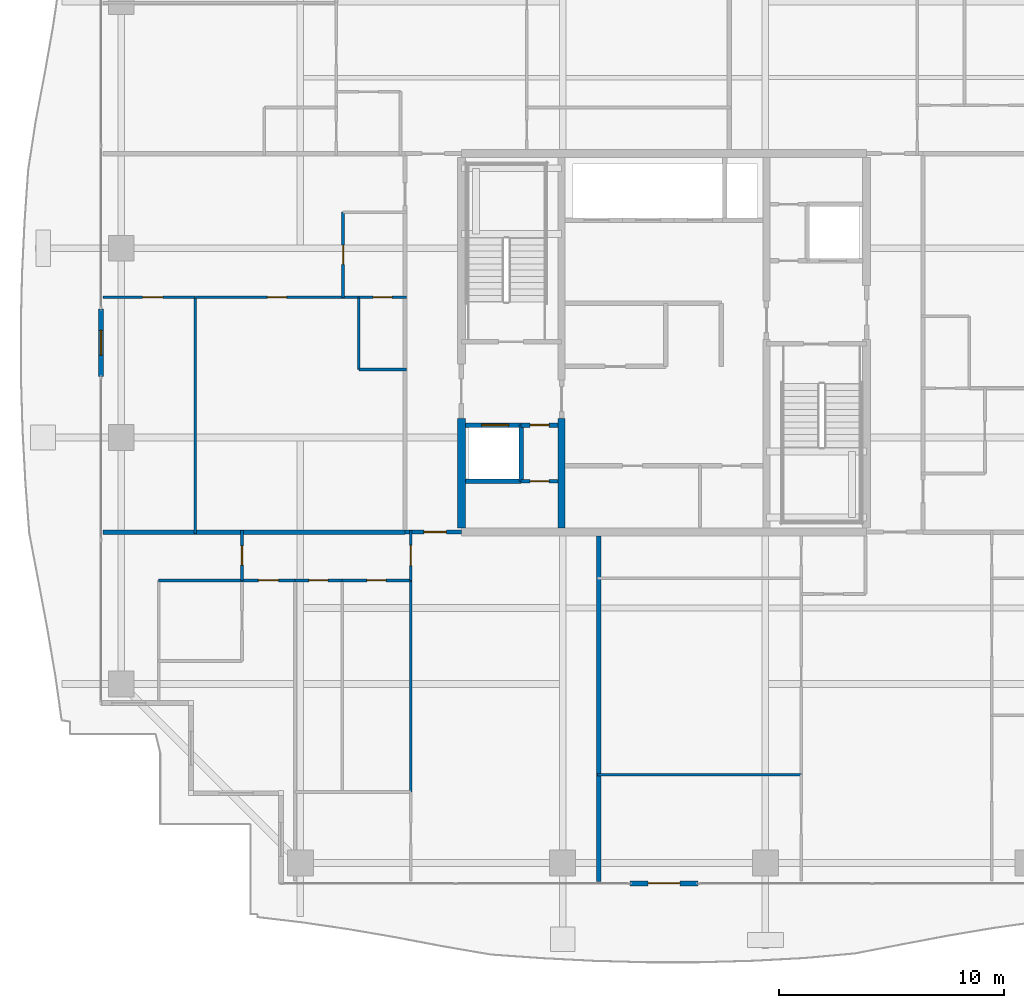
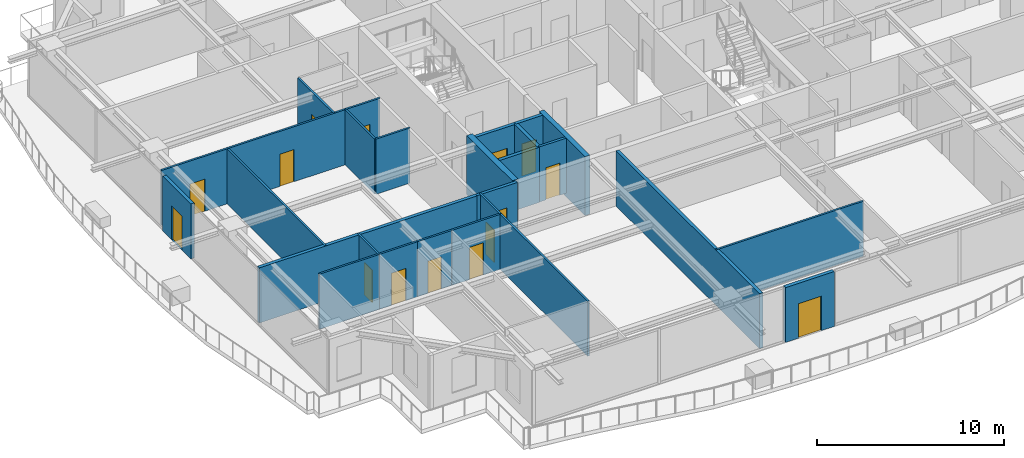
# One storey, part 24 of 35: 27 walls, 15 doors, 15 openings.
"""IFC4 building model written with IfcOpenShell, lengths in metres."""

from ifc_helpers import new_model, si_unit, direction, frame, frame_2d, origin, place, context, subcontext, project, spatial, rectangle, extrude, source, transform, mapped, material, layer, layer_set, type_object, element, fill, save


model = new_model("IFC4")

# Units and contexts
model_context = context("Model", 3, precision=1e-05, world=origin(), true_north=direction((0.0, 1.0)))
body_context = subcontext(model_context, "Body", "Model", "MODEL_VIEW")
ifc_project = project(units=[si_unit("LENGTHUNIT", "METRE"), si_unit("AREAUNIT", "SQUARE_METRE"), si_unit("VOLUMEUNIT", "CUBIC_METRE"), si_unit("PLANEANGLEUNIT", "RADIAN"), si_unit("MASSUNIT", "GRAM", prefix="KILO")], contexts=[model_context])

# Site, building, storey
site_placement = place(None, origin())
site = spatial("IfcSite", under=ifc_project, at=site_placement, CompositionType="ELEMENT")
building_placement = place(site_placement, origin())
building = spatial("IfcBuilding", under=site, at=building_placement, Name="Serunith Strait Residences", CompositionType="ELEMENT")
storey_placement = place(building_placement, frame((0.0, 0.0, 214.300048828125)))
storey = spatial("IfcBuildingStorey", under=building, at=storey_placement, Name="L53", CompositionType="ELEMENT", Elevation=214.300048828125)

# Wall, opening, door
ifc_material_1 = material(Name="Pale-Champagne Aluminium Insulated Panel", Category="aluminium")
ifc_layer_1 = layer(ifc_material_1, 0.219970703125, Name="Pale-Champagne Aluminium Insulated Panel")
ifc_layer_set_1 = layer_set([ifc_layer_1], Name="Pale-Champagne Aluminium Insulated Panel")
wall_type_1 = type_object("IfcWallType", Name="EW-ALUM-220", PredefinedType="ELEMENTEDWALL", material=ifc_layer_set_1)
wall_1_placement = place(storey_placement, frame((30.89990234375, 1.199951171875, 0.0), z_axis=(0.0, 0.0, 1.0), x_axis=(1.0, 0.0, 0.0)))
wall_1 = element("IfcWall", 1, at=wall_1_placement, inside=storey, type_object=wall_type_1, Name="L53 S Facade Pier Wall", PredefinedType="ELEMENTEDWALL", context=body_context, shape_type="SweptSolid", body=[
    extrude(rectangle(XDim=3.0, YDim=0.219970703125, at=frame_2d((1.5, 0.0))), origin(), (0.0, 0.0, 1.0), 3.574951171875),
])
opening_1_placement = place(wall_1_placement, frame((0.800048828125, 0.0, 0.0)))
opening_1 = element("IfcOpeningElement", 2, at=opening_1_placement, cuts=wall_1, Name="Opening ED-04", PredefinedType="OPENING", context=body_context, shape_type="SweptSolid", body=[
    extrude(rectangle(XDim=1.39990234375, YDim=2.25, at=frame_2d((0.699951171875, 1.125))), frame((0.0, 0.1201171875, 0.0), z_axis=(0.0, -1.0, 0.0), x_axis=(1.0, 0.0, 0.0)), (0.0, 0.0, 1.0), 0.239990234375),
])
ifc_material_2 = material(Name="Thermally-Broken Aluminium Sliding Balcony Door", Category="aluminium")
door_type_1 = type_object("IfcDoorType", Name="ED-BALC-1400", OperationType="NOTDEFINED", PredefinedType="DOOR", material=ifc_material_2)
shared_shape_1 = source(origin(), body_context, "Body", "SweptSolid", [
    extrude(rectangle(XDim=1.39990234375, YDim=2.25, at=frame_2d((0.699951171875, 1.125))), frame((0.0, 0.02490234375, 0.0), z_axis=(0.0, -1.0, 0.0), x_axis=(1.0, 0.0, 0.0)), (0.0, 0.0, 1.0), 0.050048828125),
])
door_1_placement = place(opening_1_placement, origin())
door_1 = element("IfcDoor", 3, at=door_1_placement, inside=storey, type_object=door_type_1, Name="L53 S Vertical-Forest Balcony Door", OperationType="SLIDING_TO_LEFT", OverallHeight=2.25, OverallWidth=1.39990234375, PredefinedType="DOOR", context=body_context, shape_type="MappedRepresentation", body=[
    mapped(shared_shape_1, transform((0.0, 0.0, 0.0), scale=1.0)),
])
fill(opening_1, door_1)

wall_2_placement = place(storey_placement, frame((7.39990234375, 26.699951171875, 0.0), z_axis=(0.0, 0.0, 1.0), x_axis=(0.0, -1.0, 0.0)))
wall_2 = element("IfcWall", 4, at=wall_2_placement, inside=storey, type_object=wall_type_1, Name="L53 W Facade Pier Wall", PredefinedType="ELEMENTEDWALL", context=body_context, shape_type="SweptSolid", body=[
    extrude(rectangle(XDim=3.0, YDim=0.219970703125, at=frame_2d((1.5, 0.0))), origin(), (0.0, 0.0, 1.0), 3.574951171875),
])
opening_2_placement = place(wall_2_placement, frame((0.949951171875, 0.0, 0.0)))
opening_2 = element("IfcOpeningElement", 5, at=opening_2_placement, cuts=wall_2, Name="Opening ED-03", PredefinedType="OPENING", context=body_context, shape_type="SweptSolid", body=[
    extrude(rectangle(XDim=1.10009765625, YDim=2.199951171875, at=frame_2d((0.550048828125, 1.10009765625))), frame((0.0, 0.1201171875, 0.0), z_axis=(0.0, -1.0, 0.0), x_axis=(1.0, 0.0, 0.0)), (0.0, 0.0, 1.0), 0.239990234375),
])
ifc_material_3 = material(Name="Thermally-Broken Aluminium Glazed Balcony Door", Category="aluminium")
door_type_2 = type_object("IfcDoorType", Name="ED-BALC-1100", OperationType="NOTDEFINED", PredefinedType="DOOR", material=ifc_material_3)
shared_shape_2 = source(origin(), body_context, "Body", "SweptSolid", [
    extrude(rectangle(XDim=1.10009765625, YDim=2.199951171875, at=frame_2d((0.550048828125, 1.10009765625))), frame((0.0, 0.02490234375, 0.0), z_axis=(0.0, -1.0, 0.0), x_axis=(1.0, 0.0, 0.0)), (0.0, 0.0, 1.0), 0.050048828125),
])
door_2_placement = place(opening_2_placement, origin())
door_2 = element("IfcDoor", 6, at=door_2_placement, inside=storey, type_object=door_type_2, Name="L53 W Vertical-Forest Balcony Door", OperationType="SINGLE_SWING_LEFT", OverallHeight=2.199951171875, OverallWidth=1.10009765625, PredefinedType="DOOR", context=body_context, shape_type="MappedRepresentation", body=[
    mapped(shared_shape_2, transform((0.0, 0.0, 0.0), scale=1.0)),
])
fill(opening_2, door_2)

ifc_material_4 = material(Name="Fire-rated masonry service closet wall", Category="masonry")
ifc_layer_2 = layer(ifc_material_4, 0.14990234375, Name="Fire-rated masonry service closet wall")
ifc_layer_set_2 = layer_set([ifc_layer_2], Name="Fire-rated masonry service closet wall")
wall_type_2 = type_object("IfcWallType", Name="IW-BOH-150", PredefinedType="PARTITIONING", material=ifc_layer_set_2)
wall_3_placement = place(storey_placement, frame((26.052001953125, 19.050048828125, 0.0), z_axis=(0.0, 0.0, 1.0), x_axis=(1.0, 0.0, 0.0)))
wall_3 = element("IfcWall", 7, at=wall_3_placement, inside=storey, type_object=wall_type_2, Name="L53 Partition Wall 011", PredefinedType="PARTITIONING", context=body_context, shape_type="SweptSolid", body=[
    extrude(rectangle(XDim=1.64794921875, YDim=0.14990234375, at=frame_2d((0.823974609375, 0.0))), origin(), (0.0, 0.0, 1.0), 3.58984375),
])
opening_3_placement = place(wall_3_placement, frame((0.39892578125, 0.0, 0.0)))
opening_3 = element("IfcOpeningElement", 8, at=opening_3_placement, cuts=wall_3, Name="Opening FD-850", PredefinedType="OPENING", context=body_context, shape_type="SweptSolid", body=[
    extrude(rectangle(XDim=0.85009765625, YDim=2.10009765625, at=frame_2d((0.425048828125, 1.050048828125))), frame((0.0, 0.0849609375, 0.0), z_axis=(0.0, -1.0, 0.0), x_axis=(1.0, 0.0, 0.0)), (0.0, 0.0, 1.0), 0.169921875),
])
ifc_material_5 = material(Name="Powder-coated steel service closet door", Category="steel")
door_type_3 = type_object("IfcDoorType", Name="FD-BOH-850", OperationType="NOTDEFINED", PredefinedType="DOOR", material=ifc_material_5)
shared_shape_3 = source(origin(), body_context, "Body", "SweptSolid", [
    extrude(rectangle(XDim=0.85009765625, YDim=2.10009765625, at=frame_2d((0.425048828125, 1.050048828125))), frame((0.0, 0.02490234375, 0.0), z_axis=(0.0, -1.0, 0.0), x_axis=(1.0, 0.0, 0.0)), (0.0, 0.0, 1.0), 0.050048828125),
])
door_3_placement = place(opening_3_placement, origin())
door_3 = element("IfcDoor", 9, at=door_3_placement, inside=storey, type_object=door_type_3, Name="L53 Water Meter Door", OperationType="SINGLE_SWING_LEFT", OverallHeight=2.10009765625, OverallWidth=0.85009765625, PredefinedType="DOOR", context=body_context, shape_type="MappedRepresentation", body=[
    mapped(shared_shape_3, transform((0.0, 0.0, 0.0), scale=1.0)),
])
fill(opening_3, door_3)

ifc_material_6 = material(Name="Fire-rated acoustic gypsum partition")
ifc_layer_3 = layer(ifc_material_6, 0.179931640625, Name="Fire-rated acoustic gypsum partition")
ifc_layer_set_3 = layer_set([ifc_layer_3], Name="Fire-rated acoustic gypsum partition")
wall_type_3 = type_object("IfcWallType", Name="IW-CORR-180", PredefinedType="PARTITIONING", material=ifc_layer_set_3)
wall_4_placement = place(storey_placement, frame((20.902099609375, 16.800048828125, 0.0), z_axis=(0.0, 0.0, 1.0), x_axis=(1.0, 0.0, 0.0)))
wall_4 = element("IfcWall", 10, at=wall_4_placement, inside=storey, type_object=wall_type_3, Name="L53 Partition Wall 026", PredefinedType="PARTITIONING", context=body_context, shape_type="SweptSolid", body=[
    extrude(rectangle(XDim=2.495849609375, YDim=0.179931640625, at=frame_2d((1.248046875, 0.0))), origin(), (0.0, 0.0, 1.0), 3.58984375),
])
opening_4_placement = place(wall_4_placement, frame((0.830078125, 0.0, 0.0)))
opening_4 = element("IfcOpeningElement", 11, at=opening_4_placement, cuts=wall_4, Name="Opening D-APT1000", PredefinedType="OPENING", context=body_context, shape_type="SweptSolid", body=[
    extrude(rectangle(XDim=1.0, YDim=2.14990234375, at=frame_2d((0.5, 1.074951171875))), frame((0.0, 0.10009765625, 0.0), z_axis=(0.0, -1.0, 0.0), x_axis=(1.0, 0.0, 0.0)), (0.0, 0.0, 1.0), 0.199951171875),
])
ifc_material_7 = material(Name="Solid timber engineered fire door", Category="wood")
door_type_4 = type_object("IfcDoorType", Name="ID-APT-1000", OperationType="NOTDEFINED", PredefinedType="DOOR", material=ifc_material_7)
shared_shape_4 = source(origin(), body_context, "Body", "SweptSolid", [
    extrude(rectangle(XDim=1.0, YDim=2.14990234375, at=frame_2d((0.5, 1.074951171875))), frame((0.0, 0.02490234375, 0.0), z_axis=(0.0, -1.0, 0.0), x_axis=(1.0, 0.0, 0.0)), (0.0, 0.0, 1.0), 0.050048828125),
])
door_4_placement = place(opening_4_placement, origin())
door_4 = element("IfcDoor", 12, at=door_4_placement, inside=storey, type_object=door_type_4, Name="L53 Unit 01 Entrance Door", OperationType="SINGLE_SWING_RIGHT", OverallHeight=2.14990234375, OverallWidth=1.0, PredefinedType="DOOR", context=body_context, shape_type="MappedRepresentation", body=[
    mapped(shared_shape_4, transform((0.0, 0.0, 0.0), scale=1.0)),
])
fill(opening_4, door_4)

ifc_material_8 = material(Name="Lightweight steel-stud gypsum partition", Category="steel")
ifc_layer_4 = layer(ifc_material_8, 0.1201171875, Name="Lightweight steel-stud gypsum partition")
ifc_layer_set_4 = layer_set([ifc_layer_4], Name="Lightweight steel-stud gypsum partition")
wall_type_4 = type_object("IfcWallType", Name="IW-PART-120", PredefinedType="PARTITIONING", material=ifc_layer_set_4)
wall_5_placement = place(storey_placement, frame((21.159912109375, 14.64990234375, 0.0), z_axis=(0.0, 0.0, 1.0), x_axis=(0.0, 1.0, 0.0)))
wall_5 = element("IfcWall", 13, at=wall_5_placement, inside=storey, type_object=wall_type_4, Name="L53 Partition Wall 032", PredefinedType="PARTITIONING", context=body_context, shape_type="SweptSolid", body=[
    extrude(rectangle(XDim=2.210205078125, YDim=0.1201171875, at=frame_2d((1.10498046875, 0.0))), origin(), (0.0, 0.0, 1.0), 3.58984375),
])
opening_5_placement = place(wall_5_placement, frame((0.655029296875, 0.0, 0.0)))
opening_5 = element("IfcOpeningElement", 14, at=opening_5_placement, cuts=wall_5, Name="Opening D-RM900", PredefinedType="OPENING", context=body_context, shape_type="SweptSolid", body=[
    extrude(rectangle(XDim=0.89990234375, YDim=2.10009765625, at=frame_2d((0.449951171875, 1.050048828125))), frame((0.0, 0.070068359375, 0.0), z_axis=(0.0, -1.0, 0.0), x_axis=(1.0, 0.0, 0.0)), (0.0, 0.0, 1.0), 0.14013671875),
])
ifc_material_9 = material(Name="Engineered timber flush bedroom door", Category="wood")
door_type_5 = type_object("IfcDoorType", Name="ID-ROOM-900", OperationType="NOTDEFINED", PredefinedType="DOOR", material=ifc_material_9)
shared_shape_5 = source(origin(), body_context, "Body", "SweptSolid", [
    extrude(rectangle(XDim=0.89990234375, YDim=2.10009765625, at=frame_2d((0.449951171875, 1.050048828125))), frame((0.0, 0.02490234375, 0.0), z_axis=(0.0, -1.0, 0.0), x_axis=(1.0, 0.0, 0.0)), (0.0, 0.0, 1.0), 0.050048828125),
])
door_5_placement = place(opening_5_placement, origin())
door_5 = element("IfcDoor", 15, at=door_5_placement, inside=storey, type_object=door_type_5, Name="L53 Hall W 5301 Door", OperationType="SINGLE_SWING_RIGHT", OverallHeight=2.10009765625, OverallWidth=0.89990234375, PredefinedType="DOOR", context=body_context, shape_type="MappedRepresentation", body=[
    mapped(shared_shape_5, transform((0.0, 0.0, 0.0), scale=1.0)),
])
fill(opening_5, door_5)

# Wall
wall_6_placement = place(storey_placement, frame((21.159912109375, 5.2529296875, 0.0), z_axis=(0.0, 0.0, 1.0), x_axis=(0.0, 1.0, 0.0)))
element("IfcWall", 16, at=wall_6_placement, inside=storey, type_object=wall_type_4, Name="L53 Partition Wall 034", PredefinedType="PARTITIONING", context=body_context, shape_type="SweptSolid", body=[
    extrude(rectangle(XDim=9.39501953125, YDim=0.1201171875, at=frame_2d((4.697509765625, 0.0))), origin(), (0.0, 0.0, 1.0), 3.58984375),
])

# Wall, opening, door
wall_7_placement = place(storey_placement, frame((16.010009765625, 14.64990234375, 0.0), z_axis=(0.0, 0.0, 1.0), x_axis=(1.0, 0.0, 0.0)))
wall_7 = element("IfcWall", 17, at=wall_7_placement, inside=storey, type_object=wall_type_4, Name="L53 Partition Wall 038", PredefinedType="PARTITIONING", context=body_context, shape_type="SweptSolid", body=[
    extrude(rectangle(XDim=2.10009765625, YDim=0.1201171875, at=frame_2d((1.050048828125, 0.0))), origin(), (0.0, 0.0, 1.0), 3.58984375),
])
opening_6_placement = place(wall_7_placement, frame((0.625, 0.0, 0.0)))
opening_6 = element("IfcOpeningElement", 18, at=opening_6_placement, cuts=wall_7, Name="Opening D-BTH850", PredefinedType="OPENING", context=body_context, shape_type="SweptSolid", body=[
    extrude(rectangle(XDim=0.85009765625, YDim=2.10009765625, at=frame_2d((0.425048828125, 1.050048828125))), frame((0.0, 0.070068359375, 0.0), z_axis=(0.0, -1.0, 0.0), x_axis=(1.0, 0.0, 0.0)), (0.0, 0.0, 1.0), 0.14013671875),
])
ifc_material_10 = material(Name="Moisture-resistant timber bathroom door", Category="wood")
door_type_6 = type_object("IfcDoorType", Name="ID-BATH-850", OperationType="NOTDEFINED", PredefinedType="DOOR", material=ifc_material_10)
door_6_placement = place(opening_6_placement, origin())
door_6 = element("IfcDoor", 19, at=door_6_placement, inside=storey, type_object=door_type_6, Name="L53 Bathroom 5301 Door", OperationType="SINGLE_SWING_RIGHT", OverallHeight=2.10009765625, OverallWidth=0.85009765625, PredefinedType="DOOR", context=body_context, shape_type="MappedRepresentation", body=[
    mapped(shared_shape_3, transform((0.0, 0.0, 0.0), scale=1.0)),
])
fill(opening_6, door_6)

wall_8_placement = place(storey_placement, frame((18.112060546875, 14.64990234375, 0.0), z_axis=(0.0, 0.0, 1.0), x_axis=(1.0, 0.0, 0.0)))
wall_8 = element("IfcWall", 20, at=wall_8_placement, inside=storey, type_object=wall_type_4, Name="L53 Partition Wall 039", PredefinedType="PARTITIONING", context=body_context, shape_type="SweptSolid", body=[
    extrude(rectangle(XDim=3.0478515625, YDim=0.1201171875, at=frame_2d((1.52392578125, 0.0))), origin(), (0.0, 0.0, 1.0), 3.58984375),
])
opening_7_placement = place(wall_8_placement, frame((1.09912109375, 0.0, 0.0)))
opening_7 = element("IfcOpeningElement", 21, at=opening_7_placement, cuts=wall_8, Name="Opening D-RM850", PredefinedType="OPENING", context=body_context, shape_type="SweptSolid", body=[
    extrude(rectangle(XDim=0.85009765625, YDim=2.10009765625, at=frame_2d((0.425048828125, 1.050048828125))), frame((0.0, 0.070068359375, 0.0), z_axis=(0.0, -1.0, 0.0), x_axis=(1.0, 0.0, 0.0)), (0.0, 0.0, 1.0), 0.14013671875),
])
ifc_material_11 = material(Name="Engineered timber flush study and kitchen door", Category="wood")
door_type_7 = type_object("IfcDoorType", Name="ID-ROOM-850", OperationType="NOTDEFINED", PredefinedType="DOOR", material=ifc_material_11)
door_7_placement = place(opening_7_placement, origin())
door_7 = element("IfcDoor", 22, at=door_7_placement, inside=storey, type_object=door_type_7, Name="L53 Kitchen 5301 Door", OperationType="SINGLE_SWING_LEFT", OverallHeight=2.10009765625, OverallWidth=0.85009765625, PredefinedType="DOOR", context=body_context, shape_type="MappedRepresentation", body=[
    mapped(shared_shape_3, transform((0.0, 0.0, 0.0), scale=1.0)),
])
fill(opening_7, door_7)

wall_9_placement = place(storey_placement, frame((13.659912109375, 14.64990234375, 0.0), z_axis=(0.0, 0.0, 1.0), x_axis=(1.0, 0.0, 0.0)))
wall_9 = element("IfcWall", 23, at=wall_9_placement, inside=storey, type_object=wall_type_4, Name="L53 Partition Wall 040", PredefinedType="PARTITIONING", context=body_context, shape_type="SweptSolid", body=[
    extrude(rectangle(XDim=2.34814453125, YDim=0.1201171875, at=frame_2d((1.174072265625, 0.0))), origin(), (0.0, 0.0, 1.0), 3.58984375),
])
opening_8_placement = place(wall_9_placement, frame((0.72412109375, 0.0, 0.0)))
opening_8 = element("IfcOpeningElement", 24, at=opening_8_placement, cuts=wall_9, Name="Opening D-RM900", PredefinedType="OPENING", context=body_context, shape_type="SweptSolid", body=[
    extrude(rectangle(XDim=0.89990234375, YDim=2.10009765625, at=frame_2d((0.449951171875, 1.050048828125))), frame((0.0, 0.070068359375, 0.0), z_axis=(0.0, -1.0, 0.0), x_axis=(1.0, 0.0, 0.0)), (0.0, 0.0, 1.0), 0.14013671875),
])
door_8_placement = place(opening_8_placement, origin())
door_8 = element("IfcDoor", 25, at=door_8_placement, inside=storey, type_object=door_type_5, Name="L53 Master Bedroom W 5301 Door", OperationType="SINGLE_SWING_RIGHT", OverallHeight=2.10009765625, OverallWidth=0.89990234375, PredefinedType="DOOR", context=body_context, shape_type="MappedRepresentation", body=[
    mapped(shared_shape_5, transform((0.0, 0.0, 0.0), scale=1.0)),
])
fill(opening_8, door_8)

# Wall
wall_10_placement = place(storey_placement, frame((9.9599609375, 14.64990234375, 0.0), z_axis=(0.0, 0.0, 1.0), x_axis=(1.0, 0.0, 0.0)))
element("IfcWall", 26, at=wall_10_placement, inside=storey, type_object=wall_type_4, Name="L53 Partition Wall 043", PredefinedType="PARTITIONING", context=body_context, shape_type="SweptSolid", body=[
    extrude(rectangle(XDim=3.697998046875, YDim=0.1201171875, at=frame_2d((1.84912109375, 0.0))), origin(), (0.0, 0.0, 1.0), 3.58984375),
])

# Wall, opening, door
wall_11_placement = place(storey_placement, frame((13.659912109375, 14.652099609375, 0.0), z_axis=(0.0, 0.0, 1.0), x_axis=(0.0, 1.0, 0.0)))
wall_11 = element("IfcWall", 27, at=wall_11_placement, inside=storey, type_object=wall_type_4, Name="L53 Partition Wall 045", PredefinedType="PARTITIONING", context=body_context, shape_type="SweptSolid", body=[
    extrude(rectangle(XDim=2.2080078125, YDim=0.1201171875, at=frame_2d((1.10400390625, 0.0))), origin(), (0.0, 0.0, 1.0), 3.58984375),
])
opening_9_placement = place(wall_11_placement, frame((0.678955078125, 0.0, 0.0)))
opening_9 = element("IfcOpeningElement", 28, at=opening_9_placement, cuts=wall_11, Name="Opening D-RM850", PredefinedType="OPENING", context=body_context, shape_type="SweptSolid", body=[
    extrude(rectangle(XDim=0.85009765625, YDim=2.10009765625, at=frame_2d((0.425048828125, 1.050048828125))), frame((0.0, 0.070068359375, 0.0), z_axis=(0.0, -1.0, 0.0), x_axis=(1.0, 0.0, 0.0)), (0.0, 0.0, 1.0), 0.14013671875),
])
door_9_placement = place(opening_9_placement, origin())
door_9 = element("IfcDoor", 29, at=door_9_placement, inside=storey, type_object=door_type_7, Name="L53 Wardrobe W 5301 Door", OperationType="SINGLE_SWING_RIGHT", OverallHeight=2.10009765625, OverallWidth=0.85009765625, PredefinedType="DOOR", context=body_context, shape_type="MappedRepresentation", body=[
    mapped(shared_shape_3, transform((0.0, 0.0, 0.0), scale=1.0)),
])
fill(opening_9, door_9)

# Wall
wall_12_placement = place(storey_placement, frame((29.43994140625, 6.02197265625, 0.0), z_axis=(0.0, 0.0, 1.0), x_axis=(1.0, 0.0, 0.0)))
element("IfcWall", 30, at=wall_12_placement, inside=storey, type_object=wall_type_4, Name="L53 Partition Wall 049", PredefinedType="PARTITIONING", context=body_context, shape_type="SweptSolid", body=[
    extrude(rectangle(XDim=9.06005859375, YDim=0.1201171875, at=frame_2d((4.530029296875, 0.0))), origin(), (0.0, 0.0, 1.0), 3.58984375),
])

# Wall, opening, door
wall_13_placement = place(storey_placement, frame((18.14990234375, 27.219970703125, 0.0), z_axis=(0.0, 0.0, 1.0), x_axis=(0.0, 1.0, 0.0)))
wall_13 = element("IfcWall", 31, at=wall_13_placement, inside=storey, type_object=wall_type_4, Name="L53 Partition Wall 086", PredefinedType="PARTITIONING", context=body_context, shape_type="SweptSolid", body=[
    extrude(rectangle(XDim=3.780029296875, YDim=0.1201171875, at=frame_2d((1.89013671875, 0.0))), origin(), (0.0, 0.0, 1.0), 3.58984375),
])
opening_10_placement = place(wall_13_placement, frame((1.465087890625, 0.0, 0.0)))
opening_10 = element("IfcOpeningElement", 32, at=opening_10_placement, cuts=wall_13, Name="Opening D-RM850", PredefinedType="OPENING", context=body_context, shape_type="SweptSolid", body=[
    extrude(rectangle(XDim=0.85009765625, YDim=2.10009765625, at=frame_2d((0.425048828125, 1.050048828125))), frame((0.0, 0.070068359375, 0.0), z_axis=(0.0, -1.0, 0.0), x_axis=(1.0, 0.0, 0.0)), (0.0, 0.0, 1.0), 0.14013671875),
])
door_10_placement = place(opening_10_placement, origin())
door_10 = element("IfcDoor", 33, at=door_10_placement, inside=storey, type_object=door_type_7, Name="L53 Kitchen 5305 Door", OperationType="SINGLE_SWING_RIGHT", OverallHeight=2.10009765625, OverallWidth=0.85009765625, PredefinedType="DOOR", context=body_context, shape_type="MappedRepresentation", body=[
    mapped(shared_shape_3, transform((0.0, 0.0, 0.0), scale=1.0)),
])
fill(opening_10, door_10)

wall_14_placement = place(storey_placement, frame((7.4951171875, 27.219970703125, 0.0), z_axis=(0.0, 0.0, 1.0), x_axis=(1.0, 0.0, 0.0)))
wall_14 = element("IfcWall", 34, at=wall_14_placement, inside=storey, type_object=wall_type_4, Name="L53 Partition Wall 088", PredefinedType="PARTITIONING", context=body_context, shape_type="SweptSolid", body=[
    extrude(rectangle(XDim=4.0888671875, YDim=0.1201171875, at=frame_2d((2.04443359375, 0.0))), origin(), (0.0, 0.0, 1.0), 3.58984375),
])
opening_11_placement = place(wall_14_placement, frame((1.75390625, 0.0, 0.0)))
opening_11 = element("IfcOpeningElement", 35, at=opening_11_placement, cuts=wall_14, Name="Opening D-RM900", PredefinedType="OPENING", context=body_context, shape_type="SweptSolid", body=[
    extrude(rectangle(XDim=0.89990234375, YDim=2.10009765625, at=frame_2d((0.449951171875, 1.050048828125))), frame((0.0, 0.070068359375, 0.0), z_axis=(0.0, -1.0, 0.0), x_axis=(1.0, 0.0, 0.0)), (0.0, 0.0, 1.0), 0.14013671875),
])
door_11_placement = place(opening_11_placement, origin())
door_11 = element("IfcDoor", 36, at=door_11_placement, inside=storey, type_object=door_type_5, Name="L53 Master Bedroom 1 5305 Door", OperationType="SINGLE_SWING_LEFT", OverallHeight=2.10009765625, OverallWidth=0.89990234375, PredefinedType="DOOR", context=body_context, shape_type="MappedRepresentation", body=[
    mapped(shared_shape_5, transform((0.0, 0.0, 0.0), scale=1.0)),
])
fill(opening_11, door_11)

# Walls
wall_15_placement = place(storey_placement, frame((11.583984375, 16.739990234375, 0.0), z_axis=(0.0, 0.0, 1.0), x_axis=(0.0, 1.0, 0.0)))
element("IfcWall", 37, at=wall_15_placement, inside=storey, type_object=wall_type_4, Name="L53 Partition Wall 089", PredefinedType="PARTITIONING", context=body_context, shape_type="SweptSolid", body=[
    extrude(rectangle(XDim=10.47998046875, YDim=0.1201171875, at=frame_2d((5.239990234375, 0.0))), origin(), (0.0, 0.0, 1.0), 3.58984375),
])
wall_16_placement = place(storey_placement, frame((18.85009765625, 24.02001953125, 0.0), z_axis=(0.0, 0.0, 1.0), x_axis=(0.0, 1.0, 0.0)))
element("IfcWall", 38, at=wall_16_placement, inside=storey, type_object=wall_type_4, Name="L53 Partition Wall 090", PredefinedType="PARTITIONING", context=body_context, shape_type="SweptSolid", body=[
    extrude(rectangle(XDim=3.199951171875, YDim=0.1201171875, at=frame_2d((1.60009765625, 0.0))), origin(), (0.0, 0.0, 1.0), 3.58984375),
])
wall_17_placement = place(storey_placement, frame((18.85009765625, 24.02001953125, 0.0), z_axis=(0.0, 0.0, 1.0), x_axis=(1.0, 0.0, 0.0)))
element("IfcWall", 39, at=wall_17_placement, inside=storey, type_object=wall_type_4, Name="L53 Partition Wall 091", PredefinedType="PARTITIONING", context=body_context, shape_type="SweptSolid", body=[
    extrude(rectangle(XDim=2.10986328125, YDim=0.1201171875, at=frame_2d((1.054931640625, 0.0))), origin(), (0.0, 0.0, 1.0), 3.58984375),
])

# Wall, opening, door
wall_18_placement = place(storey_placement, frame((11.5859375, 27.219970703125, 0.0), z_axis=(0.0, 0.0, 1.0), x_axis=(1.0, 0.0, 0.0)))
wall_18 = element("IfcWall", 40, at=wall_18_placement, inside=storey, type_object=wall_type_4, Name="L53 Partition Wall 092", PredefinedType="PARTITIONING", context=body_context, shape_type="SweptSolid", body=[
    extrude(rectangle(XDim=7.26416015625, YDim=0.1201171875, at=frame_2d((3.632080078125, 0.0))), origin(), (0.0, 0.0, 1.0), 3.58984375),
])
opening_12_placement = place(wall_18_placement, frame((3.20703125, 0.0, 0.0)))
opening_12 = element("IfcOpeningElement", 41, at=opening_12_placement, cuts=wall_18, Name="Opening D-RM850", PredefinedType="OPENING", context=body_context, shape_type="SweptSolid", body=[
    extrude(rectangle(XDim=0.85009765625, YDim=2.10009765625, at=frame_2d((0.425048828125, 1.050048828125))), frame((0.0, 0.070068359375, 0.0), z_axis=(0.0, -1.0, 0.0), x_axis=(1.0, 0.0, 0.0)), (0.0, 0.0, 1.0), 0.14013671875),
])
door_12_placement = place(opening_12_placement, origin())
door_12 = element("IfcDoor", 42, at=door_12_placement, inside=storey, type_object=door_type_7, Name="L53 Walk-in Wardrobe 5305 Door", OperationType="SINGLE_SWING_RIGHT", OverallHeight=2.10009765625, OverallWidth=0.85009765625, PredefinedType="DOOR", context=body_context, shape_type="MappedRepresentation", body=[
    mapped(shared_shape_3, transform((0.0, 0.0, 0.0), scale=1.0)),
])
fill(opening_12, door_12)

wall_19_placement = place(storey_placement, frame((18.85205078125, 27.219970703125, 0.0), z_axis=(0.0, 0.0, 1.0), x_axis=(1.0, 0.0, 0.0)))
wall_19 = element("IfcWall", 43, at=wall_19_placement, inside=storey, type_object=wall_type_4, Name="L53 Partition Wall 093", PredefinedType="PARTITIONING", context=body_context, shape_type="SweptSolid", body=[
    extrude(rectangle(XDim=2.10791015625, YDim=0.1201171875, at=frame_2d((1.053955078125, 0.0))), origin(), (0.0, 0.0, 1.0), 3.58984375),
])
opening_13_placement = place(wall_19_placement, frame((0.62890625, 0.0, 0.0)))
opening_13 = element("IfcOpeningElement", 44, at=opening_13_placement, cuts=wall_19, Name="Opening D-BTH850", PredefinedType="OPENING", context=body_context, shape_type="SweptSolid", body=[
    extrude(rectangle(XDim=0.85009765625, YDim=2.10009765625, at=frame_2d((0.425048828125, 1.050048828125))), frame((0.0, 0.070068359375, 0.0), z_axis=(0.0, -1.0, 0.0), x_axis=(1.0, 0.0, 0.0)), (0.0, 0.0, 1.0), 0.14013671875),
])
door_13_placement = place(opening_13_placement, origin())
door_13 = element("IfcDoor", 45, at=door_13_placement, inside=storey, type_object=door_type_6, Name="L53 Bathroom 5305 Door", OperationType="SINGLE_SWING_LEFT", OverallHeight=2.10009765625, OverallWidth=0.85009765625, PredefinedType="DOOR", context=body_context, shape_type="MappedRepresentation", body=[
    mapped(shared_shape_3, transform((0.0, 0.0, 0.0), scale=1.0)),
])
fill(opening_13, door_13)

# Walls
ifc_material_12 = material(Name="Twin-stud acoustic gypsum board partition")
ifc_layer_5 = layer(ifc_material_12, 0.199951171875, Name="Twin-stud acoustic gypsum board partition")
ifc_layer_set_5 = layer_set([ifc_layer_5], Name="Twin-stud acoustic gypsum board partition")
wall_type_5 = type_object("IfcWallType", Name="IW-PARTY-200", PredefinedType="PARTITIONING", material=ifc_layer_set_5)
wall_20_placement = place(storey_placement, frame((29.5, 1.281982421875, 0.0), z_axis=(0.0, 0.0, 1.0), x_axis=(0.0, 1.0, 0.0)))
element("IfcWall", 46, at=wall_20_placement, inside=storey, type_object=wall_type_5, Name="L53 Partition Wall 020", PredefinedType="PARTITIONING", context=body_context, shape_type="SweptSolid", body=[
    extrude(rectangle(XDim=15.343017578125, YDim=0.199951171875, at=frame_2d((7.67138671875, 0.0))), origin(), (0.0, 0.0, 1.0), 3.58984375),
])
wall_21_placement = place(storey_placement, frame((7.48193359375, 16.800048828125, 0.0), z_axis=(0.0, 0.0, 1.0), x_axis=(1.0, 0.0, 0.0)))
element("IfcWall", 47, at=wall_21_placement, inside=storey, type_object=wall_type_5, Name="L53 Partition Wall 022", PredefinedType="PARTITIONING", context=body_context, shape_type="SweptSolid", body=[
    extrude(rectangle(XDim=13.41796875, YDim=0.199951171875, at=frame_2d((6.708984375, 0.0))), origin(), (0.0, 0.0, 1.0), 3.58984375),
])

# Wall, opening, door
ifc_material_13 = material(Name="Autoclaved aerated concrete blockwork", Category="masonry")
ifc_layer_6 = layer(ifc_material_13, 0.199951171875, Name="Autoclaved aerated concrete blockwork")
ifc_layer_set_6 = layer_set([ifc_layer_6], Name="Autoclaved aerated concrete blockwork")
wall_type_6 = type_object("IfcWallType", Name="IW-SHAFT-200", PredefinedType="STANDARD", material=ifc_layer_set_6)
wall_22_placement = place(storey_placement, frame((23.574951171875, 21.550048828125, 0.0), z_axis=(0.0, 0.0, 1.0), x_axis=(1.0, 0.0, 0.0)))
wall_22 = element("IfcWall", 48, at=wall_22_placement, inside=storey, type_object=wall_type_6, Name="L53 FL-1 North Shaft Wall", PredefinedType="STANDARD", context=body_context, shape_type="SweptSolid", body=[
    extrude(rectangle(XDim=2.47509765625, YDim=0.199951171875, at=frame_2d((1.237548828125, 0.0))), origin(), (0.0, 0.0, 1.0), 3.58984375),
])
opening_14_placement = place(wall_22_placement, frame((0.72509765625, 0.0, 0.0)))
opening_14 = element("IfcOpeningElement", 49, at=opening_14_placement, cuts=wall_22, Name="Opening LD-FF1200", PredefinedType="OPENING", context=body_context, shape_type="SweptSolid", body=[
    extrude(rectangle(XDim=1.199951171875, YDim=2.199951171875, at=frame_2d((0.60009765625, 1.10009765625))), frame((0.0, 0.10986328125, 0.0), z_axis=(0.0, -1.0, 0.0), x_axis=(1.0, 0.0, 0.0)), (0.0, 0.0, 1.0), 0.219970703125),
])
ifc_material_14 = material(Name="Brushed stainless steel landing door", Category="steel")
door_type_8 = type_object("IfcDoorType", Name="LD-FF-1200", OperationType="DOUBLE_DOOR_SLIDING", PredefinedType="DOOR", material=ifc_material_14)
shared_shape_6 = source(origin(), body_context, "Body", "SweptSolid", [
    extrude(rectangle(XDim=1.199951171875, YDim=2.199951171875, at=frame_2d((0.60009765625, 1.10009765625))), frame((0.0, 0.02490234375, 0.0), z_axis=(0.0, -1.0, 0.0), x_axis=(1.0, 0.0, 0.0)), (0.0, 0.0, 1.0), 0.050048828125),
])
door_14_placement = place(opening_14_placement, origin())
door_14 = element("IfcDoor", 50, at=door_14_placement, inside=storey, type_object=door_type_8, Name="L53 FL-1 Landing Door", OperationType="DOUBLE_DOOR_SLIDING", OverallHeight=2.199951171875, OverallWidth=1.199951171875, PredefinedType="DOOR", context=body_context, shape_type="MappedRepresentation", body=[
    mapped(shared_shape_6, transform((0.0, 0.0, 0.0), scale=1.0)),
])
fill(opening_14, door_14)

# Walls
wall_23_placement = place(storey_placement, frame((26.050048828125, 19.050048828125, 0.0), z_axis=(0.0, 0.0, 1.0), x_axis=(0.0, 1.0, 0.0)))
element("IfcWall", 51, at=wall_23_placement, inside=storey, type_object=wall_type_6, Name="L53 Partition Wall 001", PredefinedType="STANDARD", context=body_context, shape_type="SweptSolid", body=[
    extrude(rectangle(XDim=2.5, YDim=0.199951171875, at=frame_2d((1.25, 0.0))), origin(), (0.0, 0.0, 1.0), 3.58984375),
])
wall_24_placement = place(storey_placement, frame((23.574951171875, 19.050048828125, 0.0), z_axis=(0.0, 0.0, 1.0), x_axis=(1.0, 0.0, 0.0)))
element("IfcWall", 52, at=wall_24_placement, inside=storey, type_object=wall_type_6, Name="L53 Partition Wall 002", PredefinedType="STANDARD", context=body_context, shape_type="SweptSolid", body=[
    extrude(rectangle(XDim=2.47509765625, YDim=0.199951171875, at=frame_2d((1.237548828125, 0.0))), origin(), (0.0, 0.0, 1.0), 3.58984375),
])

# Wall, opening, door
wall_25_placement = place(storey_placement, frame((26.052001953125, 21.550048828125, 0.0), z_axis=(0.0, 0.0, 1.0), x_axis=(1.0, 0.0, 0.0)))
wall_25 = element("IfcWall", 53, at=wall_25_placement, inside=storey, type_object=wall_type_6, Name="L53 Partition Wall 003", PredefinedType="STANDARD", context=body_context, shape_type="SweptSolid", body=[
    extrude(rectangle(XDim=1.64794921875, YDim=0.199951171875, at=frame_2d((0.823974609375, 0.0))), origin(), (0.0, 0.0, 1.0), 3.58984375),
])
opening_15_placement = place(wall_25_placement, frame((0.39892578125, 0.0, 0.0)))
opening_15 = element("IfcOpeningElement", 54, at=opening_15_placement, cuts=wall_25, Name="Opening FD-850", PredefinedType="OPENING", context=body_context, shape_type="SweptSolid", body=[
    extrude(rectangle(XDim=0.85009765625, YDim=2.10009765625, at=frame_2d((0.425048828125, 1.050048828125))), frame((0.0, 0.10986328125, 0.0), z_axis=(0.0, -1.0, 0.0), x_axis=(1.0, 0.0, 0.0)), (0.0, 0.0, 1.0), 0.219970703125),
])
door_15_placement = place(opening_15_placement, origin())
door_15 = element("IfcDoor", 55, at=door_15_placement, inside=storey, type_object=door_type_3, Name="L53 South-West Core Service Door", OperationType="SINGLE_SWING_LEFT", OverallHeight=2.10009765625, OverallWidth=0.85009765625, PredefinedType="DOOR", context=body_context, shape_type="MappedRepresentation", body=[
    mapped(shared_shape_3, transform((0.0, 0.0, 0.0), scale=1.0)),
])
fill(opening_15, door_15)

# Walls
ifc_material_15 = material(Name="Concrete C60/75", Category="concrete")
ifc_layer_7 = layer(ifc_material_15, 0.300048828125, Name="Concrete C60/75")
ifc_layer_set_7 = layer_set([ifc_layer_7], Name="Concrete C60/75")
wall_type_7 = type_object("IfcWallType", Name="SW-300-C60", PredefinedType="SHEAR", material=ifc_layer_set_7)
wall_26_placement = place(storey_placement, frame((27.85009765625, 16.97509765625, -0.260009765625), z_axis=(0.0, 0.0, 1.0), x_axis=(0.0, 1.0, 0.0)))
element("IfcWall", 56, at=wall_26_placement, inside=storey, type_object=wall_type_7, Name="L53 Core Internal West Web South Pier", PredefinedType="SHEAR", context=body_context, shape_type="SweptSolid", body=[
    extrude(rectangle(XDim=4.875, YDim=0.300048828125, at=frame_2d((2.4375, 0.0))), origin(), (0.0, 0.0, 1.0), 3.847900390625),
])
ifc_layer_8 = layer(ifc_material_15, 0.35009765625, Name="Concrete C60/75")
ifc_layer_set_8 = layer_set([ifc_layer_8], Name="Concrete C60/75")
wall_type_8 = type_object("IfcWallType", Name="SW-350-C60", PredefinedType="SHEAR", material=ifc_layer_set_8)
wall_27_placement = place(storey_placement, frame((23.39990234375, 16.97509765625, -0.260009765625), z_axis=(0.0, 0.0, 1.0), x_axis=(0.0, 1.0, 0.0)))
element("IfcWall", 57, at=wall_27_placement, inside=storey, type_object=wall_type_8, Name="L53 Core West Shear Wall South Pier", PredefinedType="SHEAR", context=body_context, shape_type="SweptSolid", body=[
    extrude(rectangle(XDim=4.875, YDim=0.35009765625, at=frame_2d((2.4375, 0.0))), origin(), (0.0, 0.0, 1.0), 3.847900390625),
])

save(model, "model.ifc")
